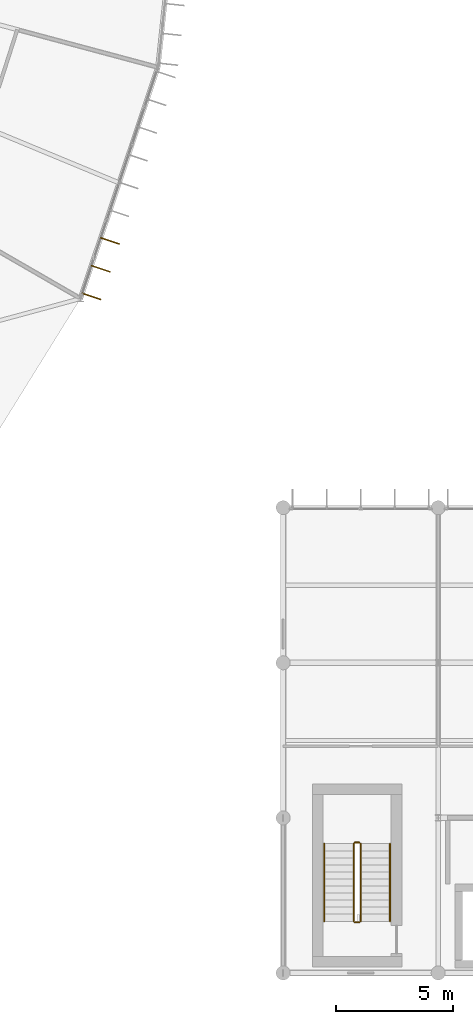
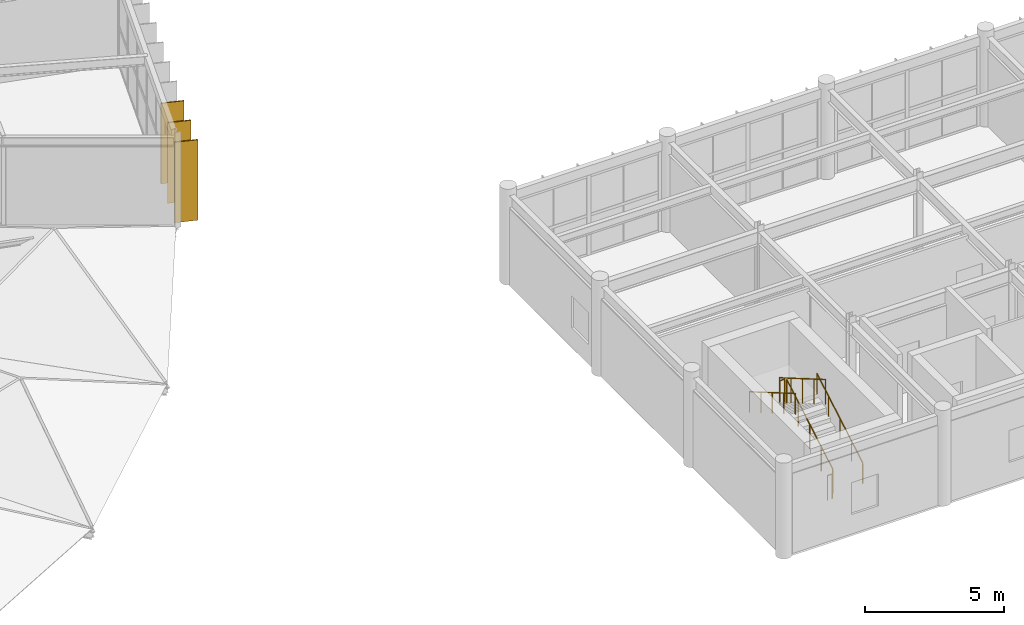
# One storey, part 61 of 66: 6 railings, 3 shading devices.
"""IFC4 building model written with IfcOpenShell, lengths in metres."""

from ifc_helpers import new_model, si_unit, direction, frame, origin, origin_2d, place, context, subcontext, project, spatial, rectangle, circle, extrude, material, layer, layer_set, type_object, element, save


model = new_model("IFC4")

# Units and contexts
model_context = context("Model", 3, precision=1e-05, world=origin(), true_north=direction((0.0, 1.0)))
body_context = subcontext(model_context, "Body", "Model", "MODEL_VIEW")
ifc_project = project(units=[si_unit("LENGTHUNIT", "METRE"), si_unit("AREAUNIT", "SQUARE_METRE"), si_unit("VOLUMEUNIT", "CUBIC_METRE"), si_unit("PLANEANGLEUNIT", "RADIAN"), si_unit("MASSUNIT", "GRAM", prefix="KILO")], contexts=[model_context])

# Site, building, storey
site_placement = place(None, origin())
site = spatial("IfcSite", under=ifc_project, at=site_placement, CompositionType="ELEMENT")
building_placement = place(site_placement, origin())
building = spatial("IfcBuilding", under=site, at=building_placement, Name="Karori Crest Natural Sciences Institute", CompositionType="ELEMENT")
storey_placement = place(building_placement, frame((0.0, 0.0, 30.10009765625)))
storey = spatial("IfcBuildingStorey", under=building, at=storey_placement, Name="L07", CompositionType="ELEMENT", Elevation=30.10009765625)

# Railings
ifc_material_1 = material(Name="Stainless steel 316 tubular handrail", Category="steel")
railing_type_1 = type_object("IfcRailingType", Name="RLT-HND", PredefinedType="HANDRAIL", material=ifc_material_1)
railing_1_placement = place(storey_placement, frame((108.14990234375, 3.0, 0.1748046875)))
element("IfcRailing", 1, at=railing_1_placement, inside=storey, type_object=railing_type_1, Name="Stair handrail RL-0145", PredefinedType="HANDRAIL", context=body_context, shape_type="SweptSolid", body=[
    extrude(circle(Radius=0.02392578125, at=origin_2d()), frame((0.0, 0.0, 0.90087890625), z_axis=(0.0, 0.863776583165, 0.503874998761), x_axis=(-1.0, 0.0, 0.0)), (0.0, 0.0, 1.0), 3.820556640625),
    extrude(circle(Radius=0.02099609375, at=origin_2d()), origin(), (0.0, 0.0, 1.0), 0.876953125),
    extrude(circle(Radius=0.02099609375, at=origin_2d()), frame((0.0, 0.824951171875, 0.481201171875)), (0.0, 0.0, 1.0), 0.876953125),
    extrude(circle(Radius=0.02099609375, at=origin_2d()), frame((0.0, 1.64990234375, 0.96240234375)), (0.0, 0.0, 1.0), 0.876953125),
    extrude(circle(Radius=0.02099609375, at=origin_2d()), frame((0.0, 2.47509765625, 1.44384765625)), (0.0, 0.0, 1.0), 0.876953125),
    extrude(circle(Radius=0.02099609375, at=origin_2d()), frame((0.0, 3.300048828125, 1.925048828125)), (0.0, 0.0, 1.0), 0.876953125),
])
railing_2_placement = place(storey_placement, frame((105.35009765625, 6.300048828125, 2.27490234375)))
element("IfcRailing", 2, at=railing_2_placement, inside=storey, type_object=railing_type_1, Name="Stair handrail RL-0146", PredefinedType="HANDRAIL", context=body_context, shape_type="SweptSolid", body=[
    extrude(circle(Radius=0.02392578125, at=origin_2d()), frame((0.0, 0.0, 0.90087890625), z_axis=(0.0, -0.863776583165, 0.503874998761), x_axis=(1.0, 0.0, 0.0)), (0.0, 0.0, 1.0), 3.820556640625),
    extrude(circle(Radius=0.02099609375, at=origin_2d()), origin(), (0.0, 0.0, 1.0), 0.876953125),
    extrude(circle(Radius=0.02099609375, at=origin_2d()), frame((0.0, -0.824951171875, 0.481201171875)), (0.0, 0.0, 1.0), 0.876953125),
    extrude(circle(Radius=0.02099609375, at=origin_2d()), frame((0.0, -1.64990234375, 0.96240234375)), (0.0, 0.0, 1.0), 0.876953125),
    extrude(circle(Radius=0.02099609375, at=origin_2d()), frame((0.0, -2.47509765625, 1.44384765625)), (0.0, 0.0, 1.0), 0.876953125),
    extrude(circle(Radius=0.02099609375, at=origin_2d()), frame((0.0, -3.300048828125, 1.925048828125)), (0.0, 0.0, 1.0), 0.876953125),
])
ifc_material_2 = material(Name="Stainless steel 316 stair guard", Category="steel")
railing_type_2 = type_object("IfcRailingType", Name="RLT-STG", PredefinedType="GUARDRAIL", material=ifc_material_2)
railing_3_placement = place(storey_placement, frame((106.89990234375, 3.0, 0.1748046875)))
element("IfcRailing", 3, at=railing_3_placement, inside=storey, type_object=railing_type_2, Name="Stair guard RL-0141", PredefinedType="GUARDRAIL", context=body_context, shape_type="SweptSolid", body=[
    extrude(circle(Radius=0.02392578125, at=origin_2d()), frame((0.0, 0.0, 1.076171875), z_axis=(0.0, 0.863776583165, 0.503874998761), x_axis=(-1.0, 0.0, 0.0)), (0.0, 0.0, 1.0), 3.820556640625),
    extrude(circle(Radius=0.02099609375, at=origin_2d()), origin(), (0.0, 0.0, 1.0), 1.052001953125),
    extrude(circle(Radius=0.02099609375, at=origin_2d()), frame((0.0, 0.824951171875, 0.481201171875)), (0.0, 0.0, 1.0), 1.052001953125),
    extrude(circle(Radius=0.02099609375, at=origin_2d()), frame((0.0, 1.64990234375, 0.96240234375)), (0.0, 0.0, 1.0), 1.052001953125),
    extrude(circle(Radius=0.02099609375, at=origin_2d()), frame((0.0, 2.47509765625, 1.44384765625)), (0.0, 0.0, 1.0), 1.052001953125),
    extrude(circle(Radius=0.02099609375, at=origin_2d()), frame((0.0, 3.300048828125, 1.925048828125)), (0.0, 0.0, 1.0), 1.052001953125),
])
railing_4_placement = place(storey_placement, frame((106.85009765625, 6.35009765625, 2.099853515625)))
element("IfcRailing", 4, at=railing_4_placement, inside=storey, type_object=railing_type_2, Name="Stair guard RL-0142", PredefinedType="GUARDRAIL", context=body_context, shape_type="SweptSolid", body=[
    extrude(circle(Radius=0.02392578125, at=origin_2d()), frame((0.0, 0.0, 1.076171875), z_axis=(-1.0, 0.0, 0.0), x_axis=(0.0, -1.0, 0.0)), (0.0, 0.0, 1.0), 0.2001953125),
    extrude(circle(Radius=0.02099609375, at=origin_2d()), origin(), (0.0, 0.0, 1.0), 1.052001953125),
    extrude(circle(Radius=0.02099609375, at=origin_2d()), frame((-0.2001953125, 0.0, 0.0)), (0.0, 0.0, 1.0), 1.052001953125),
])
railing_5_placement = place(storey_placement, frame((106.60009765625, 6.300048828125, 2.27490234375)))
element("IfcRailing", 5, at=railing_5_placement, inside=storey, type_object=railing_type_2, Name="Stair guard RL-0143", PredefinedType="GUARDRAIL", context=body_context, shape_type="SweptSolid", body=[
    extrude(circle(Radius=0.02392578125, at=origin_2d()), frame((0.0, 0.0, 1.076171875), z_axis=(0.0, -0.863776583165, 0.503874998761), x_axis=(1.0, 0.0, 0.0)), (0.0, 0.0, 1.0), 3.820556640625),
    extrude(circle(Radius=0.02099609375, at=origin_2d()), origin(), (0.0, 0.0, 1.0), 1.052001953125),
    extrude(circle(Radius=0.02099609375, at=origin_2d()), frame((0.0, -0.824951171875, 0.481201171875)), (0.0, 0.0, 1.0), 1.052001953125),
    extrude(circle(Radius=0.02099609375, at=origin_2d()), frame((0.0, -1.64990234375, 0.96240234375)), (0.0, 0.0, 1.0), 1.052001953125),
    extrude(circle(Radius=0.02099609375, at=origin_2d()), frame((0.0, -2.47509765625, 1.44384765625)), (0.0, 0.0, 1.0), 1.052001953125),
    extrude(circle(Radius=0.02099609375, at=origin_2d()), frame((0.0, -3.300048828125, 1.925048828125)), (0.0, 0.0, 1.0), 1.052001953125),
])
railing_6_placement = place(storey_placement, frame((106.85009765625, 2.949951171875, 0.0)))
element("IfcRailing", 6, at=railing_6_placement, inside=storey, type_object=railing_type_2, Name="Stair guard RL-0144", PredefinedType="GUARDRAIL", context=body_context, shape_type="SweptSolid", body=[
    extrude(circle(Radius=0.02392578125, at=origin_2d()), frame((0.0, 0.0, 1.076171875), z_axis=(-1.0, 0.0, 0.0), x_axis=(0.0, -1.0, 0.0)), (0.0, 0.0, 1.0), 0.2001953125),
    extrude(circle(Radius=0.02099609375, at=origin_2d()), origin(), (0.0, 0.0, 1.0), 1.052001953125),
    extrude(circle(Radius=0.02099609375, at=origin_2d()), frame((-0.2001953125, 0.0, 0.0)), (0.0, 0.0, 1.0), 1.052001953125),
])

# Shading devices
ifc_material_3 = material(Name="Anodised architectural aluminium 6063-T6", Category="aluminium")
ifc_layer = layer(ifc_material_3, 0.044921875, Name="Anodised architectural aluminium 6063-T6")
ifc_layer_set = layer_set([ifc_layer], Name="Anodised architectural aluminium 6063-T6")
shading_device_type = type_object("IfcShadingDeviceType", Name="SDT-FIN", PredefinedType="USERDEFINED", material=ifc_layer_set)
for number, where, z_axis, x_axis, name in (
    (7, (96.232421875, 31.951416015625, 0.0), (0.0, 0.0, 1.0), (0.948197867933, -0.317680347595, 0.0), "Vertical solar fin FN-1205"),
    (8, (95.8369140625, 30.7705078125, 0.0), (0.0, 0.0, 1.0), (0.948197867933, -0.317680347595, 0.0), "Vertical solar fin FN-1206"),
    (9, (95.441162109375, 29.589599609375, 0.0), (0.0, 0.0, 1.0), (0.948197867933, -0.317680347595, 0.0), "Vertical solar fin FN-1207"),
):
    element("IfcShadingDevice", number, at=place(storey_placement, frame(where, z_axis=z_axis, x_axis=x_axis)), inside=storey, type_object=shading_device_type, Name=name, ObjectType="SOLAR_FIN", PredefinedType="USERDEFINED", context=body_context, shape_type="SweptSolid", body=[
        extrude(rectangle(XDim=0.85009765625, YDim=0.044921875, at=origin_2d()), origin(), (0.0, 0.0, 1.0), 3.52490234375),
    ])

save(model, "model.ifc")
